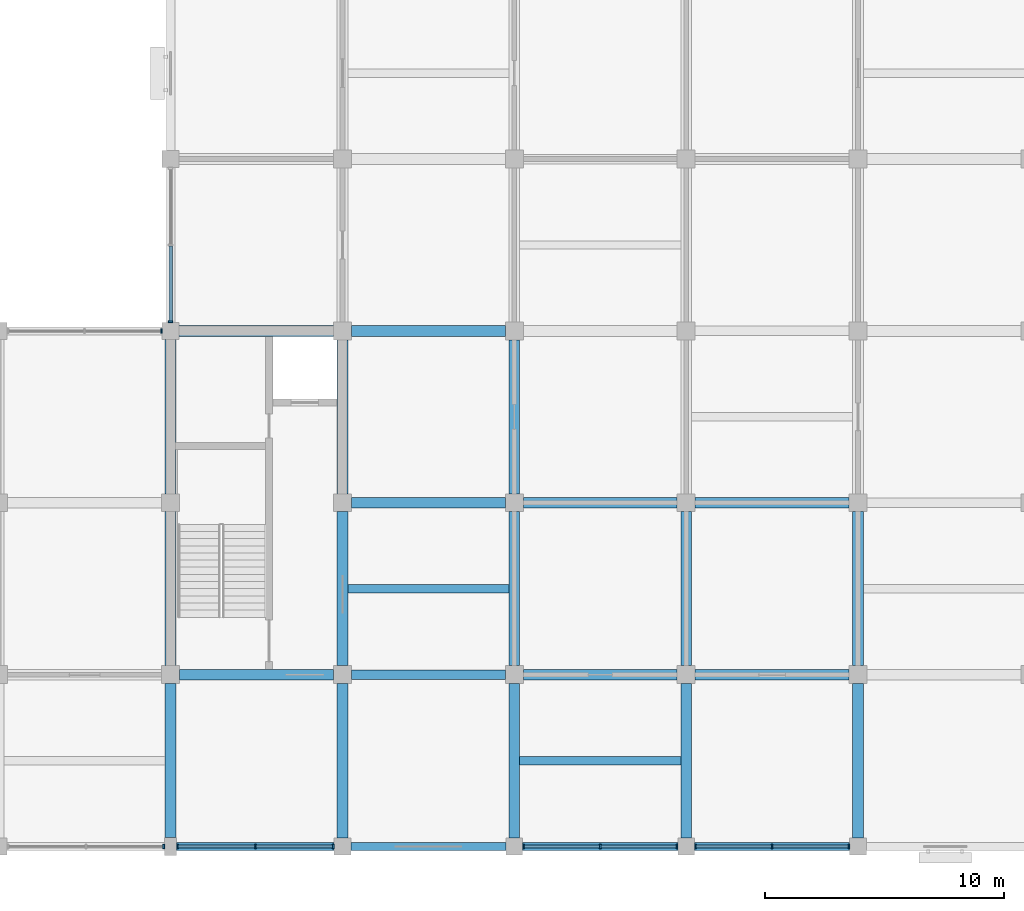
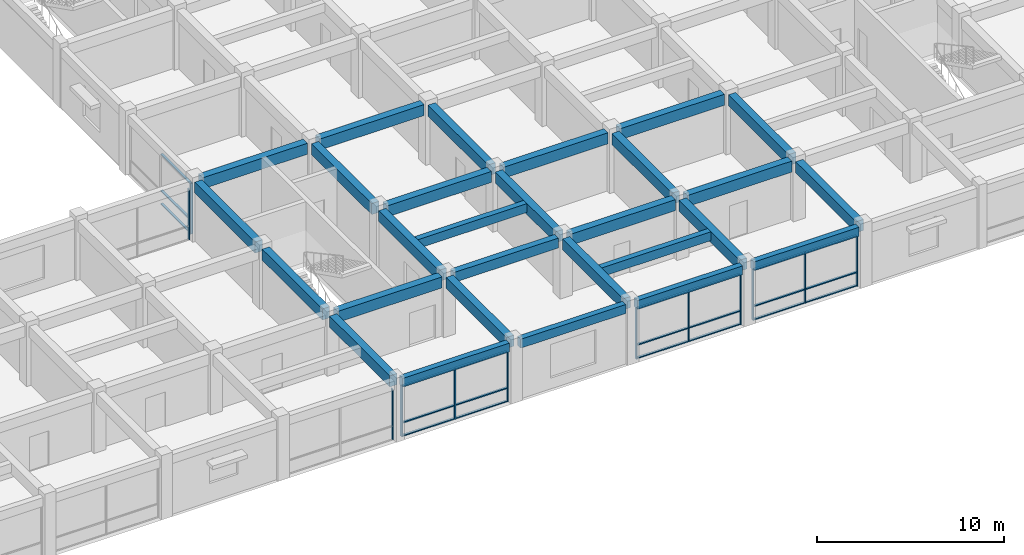
# One storey, part 5 of 31: 33 members, 28 beams, 6 elements without a shape of their own.
"""IFC4 building model written with IfcOpenShell, lengths in metres."""

from ifc_helpers import new_model, si_unit, direction, frame, origin, origin_2d, place, context, subcontext, project, spatial, rectangle, extrude, material, layer, layer_set, material_profile, profile_set, type_object, element, aggregate, save


model = new_model("IFC4")

# Units and contexts
model_context = context("Model", 3, precision=1e-05, world=origin(), true_north=direction((0.0, 1.0)))
body_context = subcontext(model_context, "Body", "Model", "MODEL_VIEW")
ifc_project = project(units=[si_unit("LENGTHUNIT", "METRE"), si_unit("AREAUNIT", "SQUARE_METRE"), si_unit("VOLUMEUNIT", "CUBIC_METRE"), si_unit("PLANEANGLEUNIT", "RADIAN"), si_unit("MASSUNIT", "GRAM", prefix="KILO")], contexts=[model_context])

# Site, building, storey
site_placement = place(None, origin())
site = spatial("IfcSite", under=ifc_project, at=site_placement, CompositionType="ELEMENT")
building_placement = place(site_placement, origin())
building = spatial("IfcBuilding", under=site, at=building_placement, Name="Cendaluz Park School", CompositionType="ELEMENT")
storey_placement = place(building_placement, frame((0.0, 0.0, 14.39990234375)))
storey = spatial("IfcBuildingStorey", under=building, at=storey_placement, Name="L03", CompositionType="ELEMENT", Elevation=14.39990234375)

# Beams
ifc_material_1 = material(Name="Concrete C40/50", Category="concrete")
ifc_material_profile_1 = material_profile(ifc_material_1, rectangle(XDim=0.449951171875, YDim=0.719970703125, at=origin_2d()), Name="RC 450x720", Category="concrete")
ifc_profile_set_1 = profile_set([ifc_material_profile_1], Name="Concrete C40/50")
beam_type_1 = type_object("IfcBeamType", Name="BM-RC02", PredefinedType="BEAM", material=ifc_profile_set_1)
beam_1_placement = place(storey_placement, frame((65.175048828125, 14.39990234375, 3.530029296875), z_axis=(1.0, 0.0, 0.0), x_axis=(0.0, 1.0, 0.0)))
element("IfcBeam", 1, at=beam_1_placement, inside=storey, type_object=beam_type_1, Name="BM-L03-BMRC02-0029", PredefinedType="BEAM", context=body_context, shape_type="SweptSolid", body=[
    extrude(rectangle(XDim=0.449951171875, YDim=0.719970703125, at=origin_2d()), origin(), (0.0, 0.0, 1.0), 6.449951171875),
])
beam_2_placement = place(storey_placement, frame((65.14990234375, 28.800048828125, 3.530029296875), z_axis=(1.0, 0.0, 0.0), x_axis=(0.0, 1.0, 0.0)))
element("IfcBeam", 2, at=beam_2_placement, inside=storey, type_object=beam_type_1, Name="BM-L03-BMRC02-0030", PredefinedType="BEAM", context=body_context, shape_type="SweptSolid", body=[
    extrude(rectangle(XDim=0.449951171875, YDim=0.719970703125, at=origin_2d()), origin(), (0.0, 0.0, 1.0), 6.47509765625),
])
for number, where, z_axis, x_axis, name in (
    (3, (72.375, 21.60009765625, 3.530029296875), (1.0, 0.0, 0.0), (0.0, 1.0, 0.0), "BM-L03-BMRC02-0038"),
    (4, (72.375, 28.800048828125, 3.530029296875), (1.0, 0.0, 0.0), (0.0, 1.0, 0.0), "BM-L03-BMRC02-0039"),
    (5, (79.574951171875, 14.39990234375, 3.530029296875), (1.0, 0.0, 0.0), (0.0, 1.0, 0.0), "BM-L03-BMRC02-0047"),
    (6, (79.574951171875, 21.60009765625, 3.530029296875), (1.0, 0.0, 0.0), (0.0, 1.0, 0.0), "BM-L03-BMRC02-0048"),
):
    element("IfcBeam", number, at=place(storey_placement, frame(where, z_axis=z_axis, x_axis=x_axis)), inside=storey, type_object=beam_type_1, Name=name, PredefinedType="BEAM", context=body_context, shape_type="SweptSolid", body=[
        extrude(rectangle(XDim=0.449951171875, YDim=0.719970703125, at=origin_2d()), origin(), (0.0, 0.0, 1.0), 6.449951171875),
    ])
for number, where, z_axis, x_axis, name in (
    (7, (86.77490234375, 14.39990234375, 3.530029296875), (1.0, 0.0, 0.0), (0.0, 1.0, 0.0), "BM-L03-BMRC02-0057"),
    (8, (86.77490234375, 21.60009765625, 3.530029296875), (1.0, 0.0, 0.0), (0.0, 1.0, 0.0), "BM-L03-BMRC02-0058"),
):
    element("IfcBeam", number, at=place(storey_placement, frame(where, z_axis=z_axis, x_axis=x_axis)), inside=storey, type_object=beam_type_1, Name=name, PredefinedType="BEAM", context=body_context, shape_type="SweptSolid", body=[
        extrude(rectangle(XDim=0.449951171875, YDim=0.719970703125, at=origin_2d()), origin(), (0.0, 0.0, 1.0), 6.4501953125),
    ])
beam_3_placement = place(storey_placement, frame((64.800048828125, 7.574951171875, 3.530029296875), z_axis=(0.0, 1.0, 0.0), x_axis=(-1.0, 0.0, 0.0)))
element("IfcBeam", 9, at=beam_3_placement, inside=storey, type_object=beam_type_1, Name="BM-L03-BMRC02-0132", PredefinedType="BEAM", context=body_context, shape_type="SweptSolid", body=[
    extrude(rectangle(XDim=0.449951171875, YDim=0.719970703125, at=origin_2d()), origin(), (0.0, 0.0, 1.0), 6.449951171875),
])
beam_4_placement = place(storey_placement, frame((64.800048828125, 14.77490234375, 3.530029296875), z_axis=(0.0, 1.0, 0.0), x_axis=(-1.0, 0.0, 0.0)))
element("IfcBeam", 10, at=beam_4_placement, inside=storey, type_object=beam_type_1, Name="BM-L03-BMRC02-0133", PredefinedType="BEAM", context=body_context, shape_type="SweptSolid", body=[
    extrude(rectangle(XDim=0.449951171875, YDim=0.719970703125, at=origin_2d()), origin(), (0.0, 0.0, 1.0), 6.4501953125),
])
for number, where, z_axis, x_axis, name in (
    (11, (64.800048828125, 21.97509765625, 3.530029296875), (0.0, 1.0, 0.0), (-1.0, 0.0, 0.0), "BM-L03-BMRC02-0134"),
    (12, (72.0, 7.550048828125, 3.530029296875), (0.0, 1.0, 0.0), (-1.0, 0.0, 0.0), "BM-L03-BMRC02-0141"),
):
    element("IfcBeam", number, at=place(storey_placement, frame(where, z_axis=z_axis, x_axis=x_axis)), inside=storey, type_object=beam_type_1, Name=name, PredefinedType="BEAM", context=body_context, shape_type="SweptSolid", body=[
        extrude(rectangle(XDim=0.449951171875, YDim=0.719970703125, at=origin_2d()), origin(), (0.0, 0.0, 1.0), 6.474853515625),
    ])
beam_5_placement = place(storey_placement, frame((72.0, 14.77490234375, 3.530029296875), z_axis=(0.0, 1.0, 0.0), x_axis=(-1.0, 0.0, 0.0)))
element("IfcBeam", 13, at=beam_5_placement, inside=storey, type_object=beam_type_1, Name="BM-L03-BMRC02-0142", PredefinedType="BEAM", context=body_context, shape_type="SweptSolid", body=[
    extrude(rectangle(XDim=0.449951171875, YDim=0.719970703125, at=origin_2d()), origin(), (0.0, 0.0, 1.0), 6.4501953125),
])
beam_6_placement = place(storey_placement, frame((72.0, 21.97509765625, 3.530029296875), z_axis=(0.0, 1.0, 0.0), x_axis=(-1.0, 0.0, 0.0)))
element("IfcBeam", 14, at=beam_6_placement, inside=storey, type_object=beam_type_1, Name="BM-L03-BMRC02-0143", PredefinedType="BEAM", context=body_context, shape_type="SweptSolid", body=[
    extrude(rectangle(XDim=0.449951171875, YDim=0.719970703125, at=origin_2d()), origin(), (0.0, 0.0, 1.0), 6.449951171875),
])
beam_7_placement = place(storey_placement, frame((79.199951171875, 7.550048828125, 3.530029296875), z_axis=(0.0, 1.0, 0.0), x_axis=(-1.0, 0.0, 0.0)))
element("IfcBeam", 15, at=beam_7_placement, inside=storey, type_object=beam_type_1, Name="BM-L03-BMRC02-0150", PredefinedType="BEAM", context=body_context, shape_type="SweptSolid", body=[
    extrude(rectangle(XDim=0.449951171875, YDim=0.719970703125, at=origin_2d()), origin(), (0.0, 0.0, 1.0), 6.474853515625),
])
beam_8_placement = place(storey_placement, frame((79.199951171875, 14.77490234375, 3.530029296875), z_axis=(0.0, 1.0, 0.0), x_axis=(-1.0, 0.0, 0.0)))
element("IfcBeam", 16, at=beam_8_placement, inside=storey, type_object=beam_type_1, Name="BM-L03-BMRC02-0151", PredefinedType="BEAM", context=body_context, shape_type="SweptSolid", body=[
    extrude(rectangle(XDim=0.449951171875, YDim=0.719970703125, at=origin_2d()), origin(), (0.0, 0.0, 1.0), 6.4501953125),
])
beam_9_placement = place(storey_placement, frame((79.199951171875, 21.97509765625, 3.530029296875), z_axis=(0.0, 1.0, 0.0), x_axis=(-1.0, 0.0, 0.0)))
element("IfcBeam", 17, at=beam_9_placement, inside=storey, type_object=beam_type_1, Name="BM-L03-BMRC02-0152", PredefinedType="BEAM", context=body_context, shape_type="SweptSolid", body=[
    extrude(rectangle(XDim=0.449951171875, YDim=0.719970703125, at=origin_2d()), origin(), (0.0, 0.0, 1.0), 6.449951171875),
])
beam_10_placement = place(storey_placement, frame((86.39990234375, 7.550048828125, 3.530029296875), z_axis=(0.0, 1.0, 0.0), x_axis=(-1.0, 0.0, 0.0)))
element("IfcBeam", 18, at=beam_10_placement, inside=storey, type_object=beam_type_1, Name="BM-L03-BMRC02-0159", PredefinedType="BEAM", context=body_context, shape_type="SweptSolid", body=[
    extrude(rectangle(XDim=0.449951171875, YDim=0.719970703125, at=origin_2d()), origin(), (0.0, 0.0, 1.0), 6.474853515625),
])
beam_11_placement = place(storey_placement, frame((86.39990234375, 14.77490234375, 3.530029296875), z_axis=(0.0, 1.0, 0.0), x_axis=(-1.0, 0.0, 0.0)))
element("IfcBeam", 19, at=beam_11_placement, inside=storey, type_object=beam_type_1, Name="BM-L03-BMRC02-0160", PredefinedType="BEAM", context=body_context, shape_type="SweptSolid", body=[
    extrude(rectangle(XDim=0.449951171875, YDim=0.719970703125, at=origin_2d()), origin(), (0.0, 0.0, 1.0), 6.4501953125),
])
beam_12_placement = place(storey_placement, frame((93.60009765625, 7.550048828125, 3.530029296875), z_axis=(0.0, 1.0, 0.0), x_axis=(-1.0, 0.0, 0.0)))
element("IfcBeam", 20, at=beam_12_placement, inside=storey, type_object=beam_type_1, Name="BM-L03-BMRC02-0168", PredefinedType="BEAM", context=body_context, shape_type="SweptSolid", body=[
    extrude(rectangle(XDim=0.449951171875, YDim=0.719970703125, at=origin_2d()), origin(), (0.0, 0.0, 1.0), 6.474853515625),
])
beam_13_placement = place(storey_placement, frame((93.60009765625, 14.77490234375, 3.530029296875), z_axis=(0.0, 1.0, 0.0), x_axis=(-1.0, 0.0, 0.0)))
element("IfcBeam", 21, at=beam_13_placement, inside=storey, type_object=beam_type_1, Name="BM-L03-BMRC02-0169", PredefinedType="BEAM", context=body_context, shape_type="SweptSolid", body=[
    extrude(rectangle(XDim=0.449951171875, YDim=0.719970703125, at=origin_2d()), origin(), (0.0, 0.0, 1.0), 6.4501953125),
])
ifc_material_profile_2 = material_profile(ifc_material_1, rectangle(XDim=0.39990234375, YDim=0.64990234375, at=origin_2d()), Name="RC 400x650", Category="concrete")
ifc_profile_set_2 = profile_set([ifc_material_profile_2], Name="Concrete C40/50")
beam_type_2 = type_object("IfcBeamType", Name="BM-RC03", PredefinedType="T_BEAM", material=ifc_profile_set_2)
beam_14_placement = place(storey_placement, frame((72.375, 14.39990234375, 3.565185546875), z_axis=(1.0, 0.0, 0.0), x_axis=(0.0, 1.0, 0.0)))
element("IfcBeam", 22, at=beam_14_placement, inside=storey, type_object=beam_type_2, Name="BM-L03-BMRC03-0037", PredefinedType="T_BEAM", context=body_context, shape_type="SweptSolid", body=[
    extrude(rectangle(XDim=0.39990234375, YDim=0.64990234375, at=origin_2d()), origin(), (0.0, 0.0, 1.0), 6.449951171875),
])
ifc_material_profile_3 = material_profile(ifc_material_1, rectangle(XDim=0.35009765625, YDim=0.580078125, at=origin_2d()), Name="RC 350x580", Category="concrete")
ifc_profile_set_3 = profile_set([ifc_material_profile_3], Name="Concrete C40/50")
beam_type_3 = type_object("IfcBeamType", Name="BM-RC04", PredefinedType="LINTEL", material=ifc_profile_set_3)
beam_15_placement = place(storey_placement, frame((65.050048828125, 7.199951171875, 3.60009765625), z_axis=(1.0, 0.0, 0.0), x_axis=(0.0, 1.0, 0.0)))
element("IfcBeam", 23, at=beam_15_placement, inside=storey, type_object=beam_type_3, Name="BM-L03-BMRC04-0028", PredefinedType="LINTEL", context=body_context, shape_type="SweptSolid", body=[
    extrude(rectangle(XDim=0.35009765625, YDim=0.580078125, at=origin_2d()), origin(), (0.0, 0.0, 1.0), 6.599853515625),
])
for number, where, z_axis, x_axis, name in (
    (24, (72.35009765625, 7.199951171875, 3.60009765625), (1.0, 0.0, 0.0), (0.0, 1.0, 0.0), "BM-L03-BMRC04-0036"),
    (25, (79.550048828125, 7.199951171875, 3.60009765625), (1.0, 0.0, 0.0), (0.0, 1.0, 0.0), "BM-L03-BMRC04-0046"),
    (26, (86.75, 7.199951171875, 3.60009765625), (1.0, 0.0, 0.0), (0.0, 1.0, 0.0), "BM-L03-BMRC04-0056"),
):
    element("IfcBeam", number, at=place(storey_placement, frame(where, z_axis=z_axis, x_axis=x_axis)), inside=storey, type_object=beam_type_3, Name=name, PredefinedType="LINTEL", context=body_context, shape_type="SweptSolid", body=[
        extrude(rectangle(XDim=0.35009765625, YDim=0.580078125, at=origin_2d()), origin(), (0.0, 0.0, 1.0), 6.5),
    ])

# Curtain wall, member
ifc_material_2 = material(Name="Anodised Aluminium 6063-T6", Category="aluminium")
ifc_layer_1 = layer(ifc_material_2, 0.179931640625)
ifc_layer_set_1 = layer_set([ifc_layer_1], Name="Anodised Aluminium 6063-T6")
curtain_wall_type_1 = type_object("IfcCurtainWallType", Name="CW-132x66", PredefinedType="NOTDEFINED", material=ifc_layer_set_1)
curtain_wall_1_placement = place(storey_placement, origin())
curtain_wall_1 = element("IfcCurtainWall", 27, at=curtain_wall_1_placement, inside=storey, type_object=curtain_wall_type_1, Name="CW-L03-138", PredefinedType="NOTDEFINED")
ifc_material_profile_4 = material_profile(ifc_material_2, rectangle(XDim=0.179931640625, YDim=0.070068359375, at=origin_2d()), Name="CWM 180x70", Category="aluminium")
ifc_profile_set_4 = profile_set([ifc_material_profile_4], Name="Anodised Aluminium 6063-T6")
member_type_1 = type_object("IfcMemberType", Name="CWM-01", PredefinedType="MULLION", material=ifc_profile_set_4)
member_1_placement = place(storey_placement, frame((64.514892578125, 7.199951171875, 0.0), z_axis=(0.0, 0.0, 1.0), x_axis=(0.0, 1.0, 0.0)))
member_1 = element("IfcMember", 28, at=member_1_placement, type_object=member_type_1, Name="CP-L03-1784", PredefinedType="MULLION", context=body_context, shape_type="SweptSolid", body=[
    extrude(rectangle(XDim=0.179931640625, YDim=0.070068359375, at=origin_2d()), origin(), (0.0, 0.0, 1.0), 3.31005859375),
])
aggregate(curtain_wall_1, [member_1])

ifc_layer_2 = layer(ifc_material_2, 0.179931640625)
ifc_layer_set_2 = layer_set([ifc_layer_2], Name="Anodised Aluminium 6063-T6")
curtain_wall_type_2 = type_object("IfcCurtainWallType", Name="CW-130x66", PredefinedType="NOTDEFINED", material=ifc_layer_set_2)
curtain_wall_2_placement = place(storey_placement, origin())
curtain_wall_2 = element("IfcCurtainWall", 29, at=curtain_wall_2_placement, inside=storey, type_object=curtain_wall_type_2, Name="CW-L03-139", PredefinedType="NOTDEFINED")
member_2_placement = place(storey_placement, frame((64.4150390625, 28.800048828125, 0.0), z_axis=(0.0, 0.0, 1.0), x_axis=(0.0, 1.0, 0.0)))
member_2 = element("IfcMember", 30, at=member_2_placement, type_object=member_type_1, Name="CP-L03-1797", PredefinedType="MULLION", context=body_context, shape_type="SweptSolid", body=[
    extrude(rectangle(XDim=0.179931640625, YDim=0.070068359375, at=origin_2d()), origin(), (0.0, 0.0, 1.0), 3.31005859375),
])
aggregate(curtain_wall_2, [member_2])

# Curtain wall, members
curtain_wall_3_placement = place(storey_placement, origin())
curtain_wall_3 = element("IfcCurtainWall", 31, at=curtain_wall_3_placement, inside=storey, type_object=curtain_wall_type_1, Name="CW-L03-140", PredefinedType="NOTDEFINED")
member_3_placement = place(storey_placement, frame((65.0849609375, 7.199951171875, 0.0), z_axis=(0.0, 0.0, 1.0), x_axis=(0.0, 1.0, 0.0)))
member_3 = element("IfcMember", 32, at=member_3_placement, type_object=member_type_1, Name="CP-L03-1808", PredefinedType="MULLION", context=body_context, shape_type="SweptSolid", body=[
    extrude(rectangle(XDim=0.179931640625, YDim=0.070068359375, at=origin_2d()), origin(), (0.0, 0.0, 1.0), 3.31005859375),
])
member_4_placement = place(storey_placement, frame((68.35009765625, 7.199951171875, 0.0), z_axis=(0.0, 0.0, 1.0), x_axis=(0.0, 1.0, 0.0)))
member_4 = element("IfcMember", 33, at=member_4_placement, type_object=member_type_1, Name="CP-L03-1809", PredefinedType="MULLION", context=body_context, shape_type="SweptSolid", body=[
    extrude(rectangle(XDim=0.179931640625, YDim=0.070068359375, at=origin_2d()), origin(), (0.0, 0.0, 1.0), 3.31005859375),
])
member_5_placement = place(storey_placement, frame((71.614990234375, 7.199951171875, 0.0), z_axis=(0.0, 0.0, 1.0), x_axis=(0.0, 1.0, 0.0)))
member_5 = element("IfcMember", 34, at=member_5_placement, type_object=member_type_1, Name="CP-L03-1810", PredefinedType="MULLION", context=body_context, shape_type="SweptSolid", body=[
    extrude(rectangle(XDim=0.179931640625, YDim=0.070068359375, at=origin_2d()), origin(), (0.0, 0.0, 1.0), 3.31005859375),
])

# Curtain wall, member
curtain_wall_4_placement = place(storey_placement, origin())
curtain_wall_4 = element("IfcCurtainWall", 35, at=curtain_wall_4_placement, inside=storey, type_object=curtain_wall_type_2, Name="CW-L03-141", PredefinedType="NOTDEFINED")
member_6_placement = place(storey_placement, frame((64.800048828125, 29.18505859375, 0.0), z_axis=(0.0, 0.0, 1.0), x_axis=(-1.0, 0.0, 0.0)))
member_6 = element("IfcMember", 36, at=member_6_placement, type_object=member_type_1, Name="CP-L03-1821", PredefinedType="MULLION", context=body_context, shape_type="SweptSolid", body=[
    extrude(rectangle(XDim=0.179931640625, YDim=0.070068359375, at=origin_2d()), origin(), (0.0, 0.0, 1.0), 3.31005859375),
])

# Curtain wall, members
curtain_wall_5_placement = place(storey_placement, origin())
curtain_wall_5 = element("IfcCurtainWall", 37, at=curtain_wall_5_placement, inside=storey, type_object=curtain_wall_type_2, Name="CW-L03-144", PredefinedType="NOTDEFINED")
member_7_placement = place(storey_placement, frame((79.5849609375, 7.199951171875, 0.0), z_axis=(0.0, 0.0, 1.0), x_axis=(0.0, 1.0, 0.0)))
member_7 = element("IfcMember", 38, at=member_7_placement, type_object=member_type_1, Name="CP-L03-1860", PredefinedType="MULLION", context=body_context, shape_type="SweptSolid", body=[
    extrude(rectangle(XDim=0.179931640625, YDim=0.070068359375, at=origin_2d()), origin(), (0.0, 0.0, 1.0), 3.31005859375),
])
member_8_placement = place(storey_placement, frame((82.800048828125, 7.199951171875, 0.0), z_axis=(0.0, 0.0, 1.0), x_axis=(0.0, 1.0, 0.0)))
member_8 = element("IfcMember", 39, at=member_8_placement, type_object=member_type_1, Name="CP-L03-1861", PredefinedType="MULLION", context=body_context, shape_type="SweptSolid", body=[
    extrude(rectangle(XDim=0.179931640625, YDim=0.070068359375, at=origin_2d()), origin(), (0.0, 0.0, 1.0), 3.31005859375),
])
member_9_placement = place(storey_placement, frame((86.014892578125, 7.199951171875, 0.0), z_axis=(0.0, 0.0, 1.0), x_axis=(0.0, 1.0, 0.0)))
member_9 = element("IfcMember", 40, at=member_9_placement, type_object=member_type_1, Name="CP-L03-1862", PredefinedType="MULLION", context=body_context, shape_type="SweptSolid", body=[
    extrude(rectangle(XDim=0.179931640625, YDim=0.070068359375, at=origin_2d()), origin(), (0.0, 0.0, 1.0), 3.31005859375),
])

curtain_wall_6_placement = place(storey_placement, origin())
curtain_wall_6 = element("IfcCurtainWall", 41, at=curtain_wall_6_placement, inside=storey, type_object=curtain_wall_type_2, Name="CW-L03-146", PredefinedType="NOTDEFINED")
member_10_placement = place(storey_placement, frame((86.784912109375, 7.199951171875, 0.0), z_axis=(0.0, 0.0, 1.0), x_axis=(0.0, 1.0, 0.0)))
member_10 = element("IfcMember", 42, at=member_10_placement, type_object=member_type_1, Name="CP-L03-1886", PredefinedType="MULLION", context=body_context, shape_type="SweptSolid", body=[
    extrude(rectangle(XDim=0.179931640625, YDim=0.070068359375, at=origin_2d()), origin(), (0.0, 0.0, 1.0), 3.31005859375),
])
member_11_placement = place(storey_placement, frame((90.0, 7.199951171875, 0.0), z_axis=(0.0, 0.0, 1.0), x_axis=(0.0, 1.0, 0.0)))
member_11 = element("IfcMember", 43, at=member_11_placement, type_object=member_type_1, Name="CP-L03-1887", PredefinedType="MULLION", context=body_context, shape_type="SweptSolid", body=[
    extrude(rectangle(XDim=0.179931640625, YDim=0.070068359375, at=origin_2d()), origin(), (0.0, 0.0, 1.0), 3.31005859375),
])
member_12_placement = place(storey_placement, frame((93.215087890625, 7.199951171875, 0.0), z_axis=(0.0, 0.0, 1.0), x_axis=(0.0, 1.0, 0.0)))
member_12 = element("IfcMember", 44, at=member_12_placement, type_object=member_type_1, Name="CP-L03-1888", PredefinedType="MULLION", context=body_context, shape_type="SweptSolid", body=[
    extrude(rectangle(XDim=0.179931640625, YDim=0.070068359375, at=origin_2d()), origin(), (0.0, 0.0, 1.0), 3.31005859375),
])

# Member
ifc_material_profile_5 = material_profile(ifc_material_2, rectangle(XDim=0.139892578125, YDim=0.070068359375, at=origin_2d()), Name="CWT 140x70", Category="aluminium")
ifc_profile_set_5 = profile_set([ifc_material_profile_5], Name="Anodised Aluminium 6063-T6")
member_type_2 = type_object("IfcMemberType", Name="CWT-01", PredefinedType="USERDEFINED", material=ifc_profile_set_5)
member_13_placement = place(storey_placement, frame((65.1201171875, 7.199951171875, 0.03515625), z_axis=(1.0, 0.0, 0.0), x_axis=(0.0, 1.0, 0.0)))
member_13 = element("IfcMember", 45, at=member_13_placement, type_object=member_type_2, Name="CP-L03-1811", ObjectType="TRANSOM", PredefinedType="USERDEFINED", context=body_context, shape_type="SweptSolid", body=[
    extrude(rectangle(XDim=0.139892578125, YDim=0.070068359375, at=origin_2d()), origin(), (0.0, 0.0, 1.0), 3.19482421875),
])

member_14_placement = place(storey_placement, frame((65.1201171875, 7.199951171875, 0.900146484375), z_axis=(1.0, 0.0, 0.0), x_axis=(0.0, 1.0, 0.0)))
member_14 = element("IfcMember", 46, at=member_14_placement, type_object=member_type_2, Name="CP-L03-1812", ObjectType="TRANSOM", PredefinedType="USERDEFINED", context=body_context, shape_type="SweptSolid", body=[
    extrude(rectangle(XDim=0.139892578125, YDim=0.070068359375, at=origin_2d()), origin(), (0.0, 0.0, 1.0), 3.19482421875),
])

member_15_placement = place(storey_placement, frame((65.1201171875, 7.199951171875, 3.275146484375), z_axis=(1.0, 0.0, 0.0), x_axis=(0.0, 1.0, 0.0)))
member_15 = element("IfcMember", 47, at=member_15_placement, type_object=member_type_2, Name="CP-L03-1813", ObjectType="TRANSOM", PredefinedType="USERDEFINED", context=body_context, shape_type="SweptSolid", body=[
    extrude(rectangle(XDim=0.139892578125, YDim=0.070068359375, at=origin_2d()), origin(), (0.0, 0.0, 1.0), 3.19482421875),
])

member_16_placement = place(storey_placement, frame((68.385009765625, 7.199951171875, 0.03515625), z_axis=(1.0, 0.0, 0.0), x_axis=(0.0, 1.0, 0.0)))
member_16 = element("IfcMember", 48, at=member_16_placement, type_object=member_type_2, Name="CP-L03-1816", ObjectType="TRANSOM", PredefinedType="USERDEFINED", context=body_context, shape_type="SweptSolid", body=[
    extrude(rectangle(XDim=0.139892578125, YDim=0.070068359375, at=origin_2d()), origin(), (0.0, 0.0, 1.0), 3.195068359375),
])

member_17_placement = place(storey_placement, frame((68.385009765625, 7.199951171875, 0.900146484375), z_axis=(1.0, 0.0, 0.0), x_axis=(0.0, 1.0, 0.0)))
member_17 = element("IfcMember", 49, at=member_17_placement, type_object=member_type_2, Name="CP-L03-1817", ObjectType="TRANSOM", PredefinedType="USERDEFINED", context=body_context, shape_type="SweptSolid", body=[
    extrude(rectangle(XDim=0.139892578125, YDim=0.070068359375, at=origin_2d()), origin(), (0.0, 0.0, 1.0), 3.195068359375),
])

member_18_placement = place(storey_placement, frame((68.385009765625, 7.199951171875, 3.275146484375), z_axis=(1.0, 0.0, 0.0), x_axis=(0.0, 1.0, 0.0)))
member_18 = element("IfcMember", 50, at=member_18_placement, type_object=member_type_2, Name="CP-L03-1818", ObjectType="TRANSOM", PredefinedType="USERDEFINED", context=body_context, shape_type="SweptSolid", body=[
    extrude(rectangle(XDim=0.139892578125, YDim=0.070068359375, at=origin_2d()), origin(), (0.0, 0.0, 1.0), 3.195068359375),
])

aggregate(curtain_wall_3, [member_3, member_4, member_5, member_13, member_14, member_15, member_16, member_17, member_18])

member_19_placement = place(storey_placement, frame((64.800048828125, 29.219970703125, 0.03515625), z_axis=(0.0, 1.0, 0.0), x_axis=(-1.0, 0.0, 0.0)))
member_19 = element("IfcMember", 51, at=member_19_placement, type_object=member_type_2, Name="CP-L03-1824", ObjectType="TRANSOM", PredefinedType="USERDEFINED", context=body_context, shape_type="SweptSolid", body=[
    extrude(rectangle(XDim=0.139892578125, YDim=0.070068359375, at=origin_2d()), origin(), (0.0, 0.0, 1.0), 3.14501953125),
])

member_20_placement = place(storey_placement, frame((64.800048828125, 29.219970703125, 0.900146484375), z_axis=(0.0, 1.0, 0.0), x_axis=(-1.0, 0.0, 0.0)))
member_20 = element("IfcMember", 52, at=member_20_placement, type_object=member_type_2, Name="CP-L03-1825", ObjectType="TRANSOM", PredefinedType="USERDEFINED", context=body_context, shape_type="SweptSolid", body=[
    extrude(rectangle(XDim=0.139892578125, YDim=0.070068359375, at=origin_2d()), origin(), (0.0, 0.0, 1.0), 3.14501953125),
])

member_21_placement = place(storey_placement, frame((64.800048828125, 29.219970703125, 3.275146484375), z_axis=(0.0, 1.0, 0.0), x_axis=(-1.0, 0.0, 0.0)))
member_21 = element("IfcMember", 53, at=member_21_placement, type_object=member_type_2, Name="CP-L03-1826", ObjectType="TRANSOM", PredefinedType="USERDEFINED", context=body_context, shape_type="SweptSolid", body=[
    extrude(rectangle(XDim=0.139892578125, YDim=0.070068359375, at=origin_2d()), origin(), (0.0, 0.0, 1.0), 3.14501953125),
])

aggregate(curtain_wall_4, [member_6, member_19, member_20, member_21])

member_22_placement = place(storey_placement, frame((79.6201171875, 7.199951171875, 0.03515625), z_axis=(1.0, 0.0, 0.0), x_axis=(0.0, 1.0, 0.0)))
member_22 = element("IfcMember", 54, at=member_22_placement, type_object=member_type_2, Name="CP-L03-1863", ObjectType="TRANSOM", PredefinedType="USERDEFINED", context=body_context, shape_type="SweptSolid", body=[
    extrude(rectangle(XDim=0.139892578125, YDim=0.070068359375, at=origin_2d()), origin(), (0.0, 0.0, 1.0), 3.144775390625),
])

member_23_placement = place(storey_placement, frame((79.6201171875, 7.199951171875, 0.900146484375), z_axis=(1.0, 0.0, 0.0), x_axis=(0.0, 1.0, 0.0)))
member_23 = element("IfcMember", 55, at=member_23_placement, type_object=member_type_2, Name="CP-L03-1864", ObjectType="TRANSOM", PredefinedType="USERDEFINED", context=body_context, shape_type="SweptSolid", body=[
    extrude(rectangle(XDim=0.139892578125, YDim=0.070068359375, at=origin_2d()), origin(), (0.0, 0.0, 1.0), 3.144775390625),
])

member_24_placement = place(storey_placement, frame((79.6201171875, 7.199951171875, 3.275146484375), z_axis=(1.0, 0.0, 0.0), x_axis=(0.0, 1.0, 0.0)))
member_24 = element("IfcMember", 56, at=member_24_placement, type_object=member_type_2, Name="CP-L03-1865", ObjectType="TRANSOM", PredefinedType="USERDEFINED", context=body_context, shape_type="SweptSolid", body=[
    extrude(rectangle(XDim=0.139892578125, YDim=0.070068359375, at=origin_2d()), origin(), (0.0, 0.0, 1.0), 3.144775390625),
])

member_25_placement = place(storey_placement, frame((82.8349609375, 7.199951171875, 0.03515625), z_axis=(1.0, 0.0, 0.0), x_axis=(0.0, 1.0, 0.0)))
member_25 = element("IfcMember", 57, at=member_25_placement, type_object=member_type_2, Name="CP-L03-1868", ObjectType="TRANSOM", PredefinedType="USERDEFINED", context=body_context, shape_type="SweptSolid", body=[
    extrude(rectangle(XDim=0.139892578125, YDim=0.070068359375, at=origin_2d()), origin(), (0.0, 0.0, 1.0), 3.14501953125),
])

member_26_placement = place(storey_placement, frame((82.8349609375, 7.199951171875, 0.900146484375), z_axis=(1.0, 0.0, 0.0), x_axis=(0.0, 1.0, 0.0)))
member_26 = element("IfcMember", 58, at=member_26_placement, type_object=member_type_2, Name="CP-L03-1869", ObjectType="TRANSOM", PredefinedType="USERDEFINED", context=body_context, shape_type="SweptSolid", body=[
    extrude(rectangle(XDim=0.139892578125, YDim=0.070068359375, at=origin_2d()), origin(), (0.0, 0.0, 1.0), 3.14501953125),
])

member_27_placement = place(storey_placement, frame((82.8349609375, 7.199951171875, 3.275146484375), z_axis=(1.0, 0.0, 0.0), x_axis=(0.0, 1.0, 0.0)))
member_27 = element("IfcMember", 59, at=member_27_placement, type_object=member_type_2, Name="CP-L03-1870", ObjectType="TRANSOM", PredefinedType="USERDEFINED", context=body_context, shape_type="SweptSolid", body=[
    extrude(rectangle(XDim=0.139892578125, YDim=0.070068359375, at=origin_2d()), origin(), (0.0, 0.0, 1.0), 3.14501953125),
])

aggregate(curtain_wall_5, [member_7, member_8, member_9, member_22, member_23, member_24, member_25, member_26, member_27])

member_28_placement = place(storey_placement, frame((86.820068359375, 7.199951171875, 0.03515625), z_axis=(1.0, 0.0, 0.0), x_axis=(0.0, 1.0, 0.0)))
member_28 = element("IfcMember", 60, at=member_28_placement, type_object=member_type_2, Name="CP-L03-1889", ObjectType="TRANSOM", PredefinedType="USERDEFINED", context=body_context, shape_type="SweptSolid", body=[
    extrude(rectangle(XDim=0.139892578125, YDim=0.070068359375, at=origin_2d()), origin(), (0.0, 0.0, 1.0), 3.14501953125),
])

member_29_placement = place(storey_placement, frame((86.820068359375, 7.199951171875, 0.900146484375), z_axis=(1.0, 0.0, 0.0), x_axis=(0.0, 1.0, 0.0)))
member_29 = element("IfcMember", 61, at=member_29_placement, type_object=member_type_2, Name="CP-L03-1890", ObjectType="TRANSOM", PredefinedType="USERDEFINED", context=body_context, shape_type="SweptSolid", body=[
    extrude(rectangle(XDim=0.139892578125, YDim=0.070068359375, at=origin_2d()), origin(), (0.0, 0.0, 1.0), 3.14501953125),
])

member_30_placement = place(storey_placement, frame((86.820068359375, 7.199951171875, 3.275146484375), z_axis=(1.0, 0.0, 0.0), x_axis=(0.0, 1.0, 0.0)))
member_30 = element("IfcMember", 62, at=member_30_placement, type_object=member_type_2, Name="CP-L03-1891", ObjectType="TRANSOM", PredefinedType="USERDEFINED", context=body_context, shape_type="SweptSolid", body=[
    extrude(rectangle(XDim=0.139892578125, YDim=0.070068359375, at=origin_2d()), origin(), (0.0, 0.0, 1.0), 3.14501953125),
])

member_31_placement = place(storey_placement, frame((90.034912109375, 7.199951171875, 0.03515625), z_axis=(1.0, 0.0, 0.0), x_axis=(0.0, 1.0, 0.0)))
member_31 = element("IfcMember", 63, at=member_31_placement, type_object=member_type_2, Name="CP-L03-1894", ObjectType="TRANSOM", PredefinedType="USERDEFINED", context=body_context, shape_type="SweptSolid", body=[
    extrude(rectangle(XDim=0.139892578125, YDim=0.070068359375, at=origin_2d()), origin(), (0.0, 0.0, 1.0), 3.14501953125),
])

member_32_placement = place(storey_placement, frame((90.034912109375, 7.199951171875, 0.900146484375), z_axis=(1.0, 0.0, 0.0), x_axis=(0.0, 1.0, 0.0)))
member_32 = element("IfcMember", 64, at=member_32_placement, type_object=member_type_2, Name="CP-L03-1895", ObjectType="TRANSOM", PredefinedType="USERDEFINED", context=body_context, shape_type="SweptSolid", body=[
    extrude(rectangle(XDim=0.139892578125, YDim=0.070068359375, at=origin_2d()), origin(), (0.0, 0.0, 1.0), 3.14501953125),
])

member_33_placement = place(storey_placement, frame((90.034912109375, 7.199951171875, 3.275146484375), z_axis=(1.0, 0.0, 0.0), x_axis=(0.0, 1.0, 0.0)))
member_33 = element("IfcMember", 65, at=member_33_placement, type_object=member_type_2, Name="CP-L03-1896", ObjectType="TRANSOM", PredefinedType="USERDEFINED", context=body_context, shape_type="SweptSolid", body=[
    extrude(rectangle(XDim=0.139892578125, YDim=0.070068359375, at=origin_2d()), origin(), (0.0, 0.0, 1.0), 3.14501953125),
])

aggregate(curtain_wall_6, [member_10, member_11, member_12, member_28, member_29, member_30, member_31, member_32, member_33])

# Beams
ifc_material_profile_6 = material_profile(ifc_material_1, rectangle(XDim=0.35009765625, YDim=0.580078125, at=origin_2d()), Name="RC 350x580", Category="concrete")
ifc_profile_set_6 = profile_set([ifc_material_profile_6], Name="Concrete C40/50")
beam_type_4 = type_object("IfcBeamType", Name="JT-RC01", PredefinedType="JOIST", material=ifc_profile_set_6)
for number, where, z_axis, x_axis, name in (
    (66, (72.22509765625, 18.0, 3.60009765625), (1.0, 0.0, 0.0), (0.0, 1.0, 0.0), "BM-L03-JTRC01-0224"),
    (67, (79.425048828125, 10.800048828125, 3.60009765625), (1.0, 0.0, 0.0), (0.0, 1.0, 0.0), "BM-L03-JTRC01-0227"),
):
    element("IfcBeam", number, at=place(storey_placement, frame(where, z_axis=z_axis, x_axis=x_axis)), inside=storey, type_object=beam_type_4, Name=name, PredefinedType="JOIST", context=body_context, shape_type="SweptSolid", body=[
        extrude(rectangle(XDim=0.35009765625, YDim=0.580078125, at=origin_2d()), origin(), (0.0, 0.0, 1.0), 6.75),
    ])

save(model, "model.ifc")
